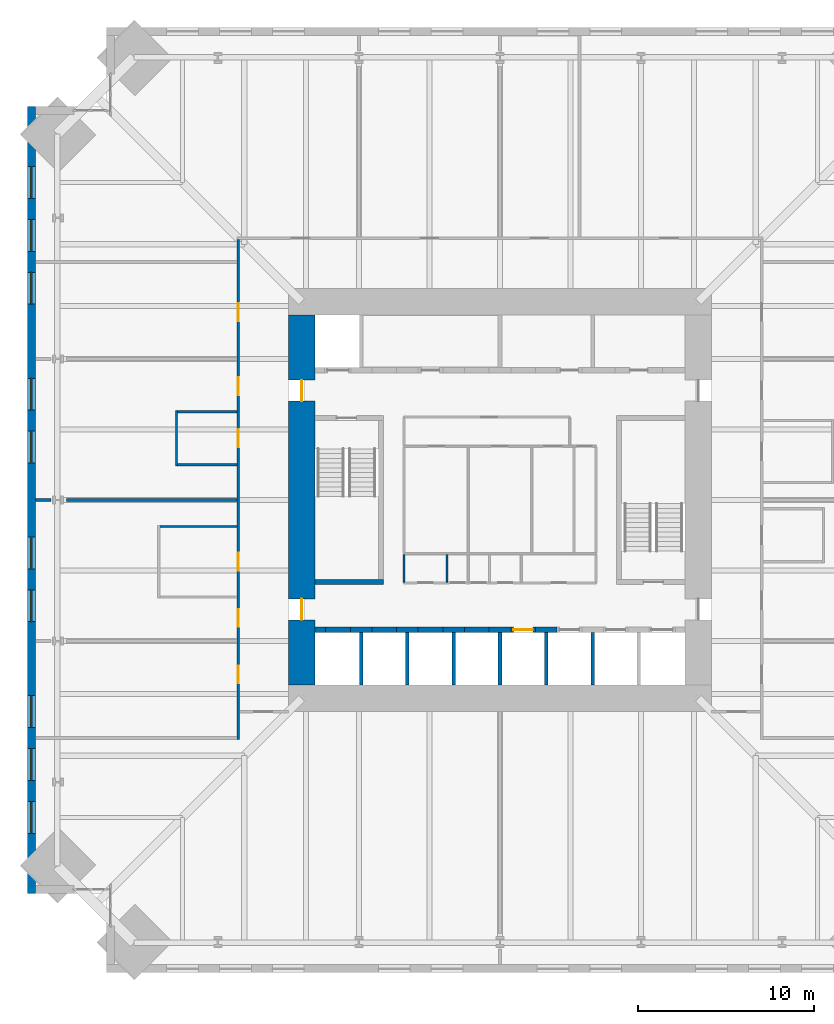
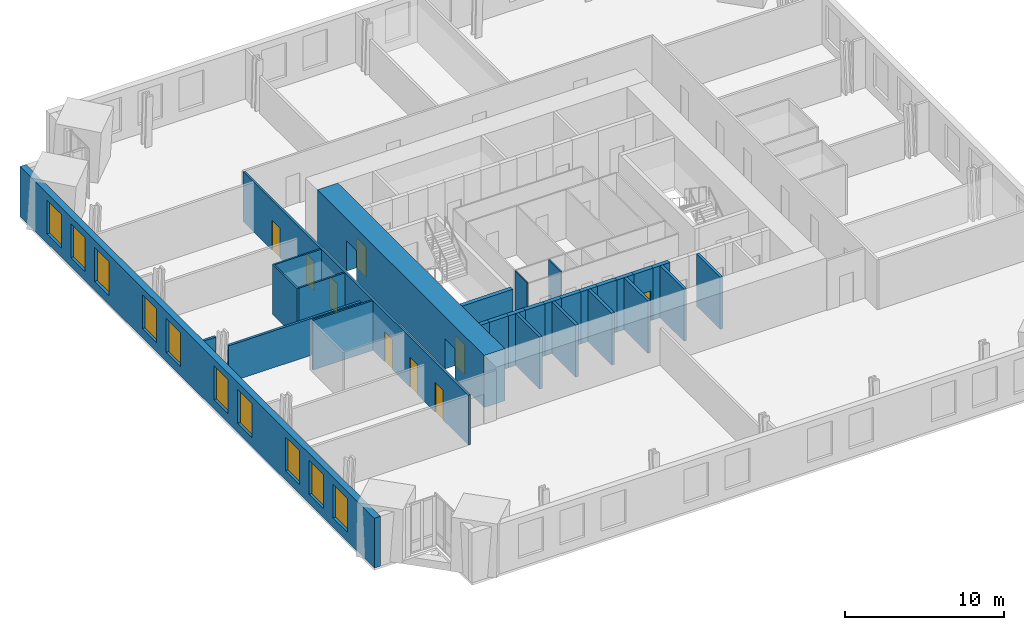
# One storey, part 12 of 17: 29 walls, 10 windows, 9 doors, 19 openings.
"""IFC4 building model written with IfcOpenShell, lengths in metres."""

from ifc_helpers import new_model, si_unit, direction, frame, frame_2d, origin, place, context, subcontext, project, spatial, rectangle, extrude, material, layer, layer_set, type_object, element, fill, save


model = new_model("IFC4")

# Units and contexts
model_context = context("Model", 3, precision=1e-05, world=origin(), true_north=direction((0.0, 1.0)))
body_context = subcontext(model_context, "Body", "Model", "MODEL_VIEW")
ifc_project = project(units=[si_unit("LENGTHUNIT", "METRE"), si_unit("AREAUNIT", "SQUARE_METRE"), si_unit("VOLUMEUNIT", "CUBIC_METRE"), si_unit("PLANEANGLEUNIT", "RADIAN"), si_unit("MASSUNIT", "GRAM", prefix="KILO")], contexts=[model_context])

# Site, building, storey
site_placement = place(None, origin())
site = spatial("IfcSite", under=ifc_project, at=site_placement, CompositionType="ELEMENT")
building_placement = place(site_placement, origin())
building = spatial("IfcBuilding", under=site, at=building_placement, Name="Peilmerk Tower", CompositionType="ELEMENT")
storey_placement = place(building_placement, frame((0.0, 0.0, 143.800048828125)))
storey = spatial("IfcBuildingStorey", under=building, at=storey_placement, Name="L29", CompositionType="ELEMENT", Elevation=143.800048828125)

# Wall, openings, windows
ifc_material_1 = material(Name="Precast concrete C45/55, board-marked finish", Category="concrete")
ifc_layer_1 = layer(ifc_material_1, 0.449951171875)
ifc_layer_set_1 = layer_set([ifc_layer_1], Name="Precast concrete C45/55, board-marked finish")
wall_type_1 = type_object("IfcWallType", Name="EW1 450 precast concrete facade wall, board-marked", PredefinedType="SOLIDWALL", material=ifc_layer_set_1)
wall_1_placement = place(storey_placement, frame((-26.574951171875, 22.300048828125, 0.0), z_axis=(0.0, 0.0, 1.0), x_axis=(0.0, -1.0, 0.0)))
wall_1 = element("IfcWall", 1, at=wall_1_placement, inside=storey, type_object=wall_type_1, Name="Facade wall W L29", PredefinedType="SOLIDWALL", context=body_context, shape_type="SweptSolid", body=[
    extrude(rectangle(XDim=44.60009765625, YDim=0.449951171875, at=frame_2d((22.300048828125, 0.0))), origin(), (0.0, 0.0, 1.0), 3.829833984375),
])
opening_1_placement = place(wall_1_placement, frame((3.39990234375, 0.0, 0.699951171875)))
opening_1 = element("IfcOpeningElement", 2, at=opening_1_placement, cuts=wall_1, Name="Opening W1", PredefinedType="OPENING", context=body_context, shape_type="SweptSolid", body=[
    extrude(rectangle(XDim=1.800048828125, YDim=2.60009765625, at=frame_2d((0.89990234375, 1.300048828125))), frame((0.0, 0.23486328125, 0.0), z_axis=(0.0, -1.0, 0.0), x_axis=(1.0, 0.0, 0.0)), (0.0, 0.0, 1.0), 0.469970703125),
])
opening_2_placement = place(wall_1_placement, frame((6.39990234375, 0.0, 0.699951171875)))
opening_2 = element("IfcOpeningElement", 3, at=opening_2_placement, cuts=wall_1, Name="Opening W1", PredefinedType="OPENING", context=body_context, shape_type="SweptSolid", body=[
    extrude(rectangle(XDim=1.800048828125, YDim=2.60009765625, at=frame_2d((0.89990234375, 1.300048828125))), frame((0.0, 0.23486328125, 0.0), z_axis=(0.0, -1.0, 0.0), x_axis=(1.0, 0.0, 0.0)), (0.0, 0.0, 1.0), 0.469970703125),
])
opening_3_placement = place(wall_1_placement, frame((9.39990234375, 0.0, 0.699951171875)))
opening_3 = element("IfcOpeningElement", 4, at=opening_3_placement, cuts=wall_1, Name="Opening W1", PredefinedType="OPENING", context=body_context, shape_type="SweptSolid", body=[
    extrude(rectangle(XDim=1.800048828125, YDim=2.60009765625, at=frame_2d((0.89990234375, 1.300048828125))), frame((0.0, 0.23486328125, 0.0), z_axis=(0.0, -1.0, 0.0), x_axis=(1.0, 0.0, 0.0)), (0.0, 0.0, 1.0), 0.469970703125),
])
opening_4_placement = place(wall_1_placement, frame((15.39990234375, 0.0, 0.699951171875)))
opening_4 = element("IfcOpeningElement", 5, at=opening_4_placement, cuts=wall_1, Name="Opening W1", PredefinedType="OPENING", context=body_context, shape_type="SweptSolid", body=[
    extrude(rectangle(XDim=1.800048828125, YDim=2.60009765625, at=frame_2d((0.89990234375, 1.300048828125))), frame((0.0, 0.23486328125, 0.0), z_axis=(0.0, -1.0, 0.0), x_axis=(1.0, 0.0, 0.0)), (0.0, 0.0, 1.0), 0.469970703125),
])
opening_5_placement = place(wall_1_placement, frame((18.39990234375, 0.0, 0.699951171875)))
opening_5 = element("IfcOpeningElement", 6, at=opening_5_placement, cuts=wall_1, Name="Opening W1", PredefinedType="OPENING", context=body_context, shape_type="SweptSolid", body=[
    extrude(rectangle(XDim=1.800048828125, YDim=2.60009765625, at=frame_2d((0.89990234375, 1.300048828125))), frame((0.0, 0.23486328125, 0.0), z_axis=(0.0, -1.0, 0.0), x_axis=(1.0, 0.0, 0.0)), (0.0, 0.0, 1.0), 0.469970703125),
])
opening_6_placement = place(wall_1_placement, frame((24.39990234375, 0.0, 0.699951171875)))
opening_6 = element("IfcOpeningElement", 7, at=opening_6_placement, cuts=wall_1, Name="Opening W1", PredefinedType="OPENING", context=body_context, shape_type="SweptSolid", body=[
    extrude(rectangle(XDim=1.800048828125, YDim=2.60009765625, at=frame_2d((0.89990234375, 1.300048828125))), frame((0.0, 0.23486328125, 0.0), z_axis=(0.0, -1.0, 0.0), x_axis=(1.0, 0.0, 0.0)), (0.0, 0.0, 1.0), 0.469970703125),
])
opening_7_placement = place(wall_1_placement, frame((27.39990234375, 0.0, 0.699951171875)))
opening_7 = element("IfcOpeningElement", 8, at=opening_7_placement, cuts=wall_1, Name="Opening W1", PredefinedType="OPENING", context=body_context, shape_type="SweptSolid", body=[
    extrude(rectangle(XDim=1.800048828125, YDim=2.60009765625, at=frame_2d((0.89990234375, 1.300048828125))), frame((0.0, 0.23486328125, 0.0), z_axis=(0.0, -1.0, 0.0), x_axis=(1.0, 0.0, 0.0)), (0.0, 0.0, 1.0), 0.469970703125),
])
opening_8_placement = place(wall_1_placement, frame((33.39990234375, 0.0, 0.699951171875)))
opening_8 = element("IfcOpeningElement", 9, at=opening_8_placement, cuts=wall_1, Name="Opening W1", PredefinedType="OPENING", context=body_context, shape_type="SweptSolid", body=[
    extrude(rectangle(XDim=1.800048828125, YDim=2.60009765625, at=frame_2d((0.89990234375, 1.300048828125))), frame((0.0, 0.23486328125, 0.0), z_axis=(0.0, -1.0, 0.0), x_axis=(1.0, 0.0, 0.0)), (0.0, 0.0, 1.0), 0.469970703125),
])
opening_9_placement = place(wall_1_placement, frame((36.39990234375, 0.0, 0.699951171875)))
opening_9 = element("IfcOpeningElement", 10, at=opening_9_placement, cuts=wall_1, Name="Opening W1", PredefinedType="OPENING", context=body_context, shape_type="SweptSolid", body=[
    extrude(rectangle(XDim=1.800048828125, YDim=2.60009765625, at=frame_2d((0.89990234375, 1.300048828125))), frame((0.0, 0.23486328125, 0.0), z_axis=(0.0, -1.0, 0.0), x_axis=(1.0, 0.0, 0.0)), (0.0, 0.0, 1.0), 0.469970703125),
])
opening_10_placement = place(wall_1_placement, frame((39.39990234375, 0.0, 0.699951171875)))
opening_10 = element("IfcOpeningElement", 11, at=opening_10_placement, cuts=wall_1, Name="Opening W1", PredefinedType="OPENING", context=body_context, shape_type="SweptSolid", body=[
    extrude(rectangle(XDim=1.800048828125, YDim=2.60009765625, at=frame_2d((0.89990234375, 1.300048828125))), frame((0.0, 0.23486328125, 0.0), z_axis=(0.0, -1.0, 0.0), x_axis=(1.0, 0.0, 0.0)), (0.0, 0.0, 1.0), 0.469970703125),
])
ifc_material_2 = material(Name="Aluminium frame, clear double glazing", Category="aluminium")
window_type = type_object("IfcWindowType", Name="W1 1800x2600 office window", PartitioningType="SINGLE_PANEL", PredefinedType="WINDOW", material=ifc_material_2)
window_1_placement = place(opening_1_placement, origin())
window_1 = element("IfcWindow", 12, at=window_1_placement, inside=storey, type_object=window_type, Name="Window W1 L29", OverallHeight=2.60009765625, OverallWidth=1.800048828125, PartitioningType="SINGLE_PANEL", PredefinedType="WINDOW", context=body_context, shape_type="SweptSolid", body=[
    extrude(rectangle(XDim=1.800048828125, YDim=2.60009765625, at=frame_2d((0.89990234375, 1.300048828125))), frame((0.0, 0.030029296875, 0.0), z_axis=(0.0, -1.0, 0.0), x_axis=(1.0, 0.0, 0.0)), (0.0, 0.0, 1.0), 0.06005859375),
])
fill(opening_1, window_1)
window_2_placement = place(opening_2_placement, origin())
window_2 = element("IfcWindow", 13, at=window_2_placement, inside=storey, type_object=window_type, Name="Window W1 L29", OverallHeight=2.60009765625, OverallWidth=1.800048828125, PartitioningType="SINGLE_PANEL", PredefinedType="WINDOW", context=body_context, shape_type="SweptSolid", body=[
    extrude(rectangle(XDim=1.800048828125, YDim=2.60009765625, at=frame_2d((0.89990234375, 1.300048828125))), frame((0.0, 0.030029296875, 0.0), z_axis=(0.0, -1.0, 0.0), x_axis=(1.0, 0.0, 0.0)), (0.0, 0.0, 1.0), 0.06005859375),
])
fill(opening_2, window_2)
window_3_placement = place(opening_3_placement, origin())
window_3 = element("IfcWindow", 14, at=window_3_placement, inside=storey, type_object=window_type, Name="Window W1 L29", OverallHeight=2.60009765625, OverallWidth=1.800048828125, PartitioningType="SINGLE_PANEL", PredefinedType="WINDOW", context=body_context, shape_type="SweptSolid", body=[
    extrude(rectangle(XDim=1.800048828125, YDim=2.60009765625, at=frame_2d((0.89990234375, 1.300048828125))), frame((0.0, 0.030029296875, 0.0), z_axis=(0.0, -1.0, 0.0), x_axis=(1.0, 0.0, 0.0)), (0.0, 0.0, 1.0), 0.06005859375),
])
fill(opening_3, window_3)
window_4_placement = place(opening_4_placement, origin())
window_4 = element("IfcWindow", 15, at=window_4_placement, inside=storey, type_object=window_type, Name="Window W1 L29", OverallHeight=2.60009765625, OverallWidth=1.800048828125, PartitioningType="SINGLE_PANEL", PredefinedType="WINDOW", context=body_context, shape_type="SweptSolid", body=[
    extrude(rectangle(XDim=1.800048828125, YDim=2.60009765625, at=frame_2d((0.89990234375, 1.300048828125))), frame((0.0, 0.030029296875, 0.0), z_axis=(0.0, -1.0, 0.0), x_axis=(1.0, 0.0, 0.0)), (0.0, 0.0, 1.0), 0.06005859375),
])
fill(opening_4, window_4)
window_5_placement = place(opening_5_placement, origin())
window_5 = element("IfcWindow", 16, at=window_5_placement, inside=storey, type_object=window_type, Name="Window W1 L29", OverallHeight=2.60009765625, OverallWidth=1.800048828125, PartitioningType="SINGLE_PANEL", PredefinedType="WINDOW", context=body_context, shape_type="SweptSolid", body=[
    extrude(rectangle(XDim=1.800048828125, YDim=2.60009765625, at=frame_2d((0.89990234375, 1.300048828125))), frame((0.0, 0.030029296875, 0.0), z_axis=(0.0, -1.0, 0.0), x_axis=(1.0, 0.0, 0.0)), (0.0, 0.0, 1.0), 0.06005859375),
])
fill(opening_5, window_5)
window_6_placement = place(opening_6_placement, origin())
window_6 = element("IfcWindow", 17, at=window_6_placement, inside=storey, type_object=window_type, Name="Window W1 L29", OverallHeight=2.60009765625, OverallWidth=1.800048828125, PartitioningType="SINGLE_PANEL", PredefinedType="WINDOW", context=body_context, shape_type="SweptSolid", body=[
    extrude(rectangle(XDim=1.800048828125, YDim=2.60009765625, at=frame_2d((0.89990234375, 1.300048828125))), frame((0.0, 0.030029296875, 0.0), z_axis=(0.0, -1.0, 0.0), x_axis=(1.0, 0.0, 0.0)), (0.0, 0.0, 1.0), 0.06005859375),
])
fill(opening_6, window_6)
window_7_placement = place(opening_7_placement, origin())
window_7 = element("IfcWindow", 18, at=window_7_placement, inside=storey, type_object=window_type, Name="Window W1 L29", OverallHeight=2.60009765625, OverallWidth=1.800048828125, PartitioningType="SINGLE_PANEL", PredefinedType="WINDOW", context=body_context, shape_type="SweptSolid", body=[
    extrude(rectangle(XDim=1.800048828125, YDim=2.60009765625, at=frame_2d((0.89990234375, 1.300048828125))), frame((0.0, 0.030029296875, 0.0), z_axis=(0.0, -1.0, 0.0), x_axis=(1.0, 0.0, 0.0)), (0.0, 0.0, 1.0), 0.06005859375),
])
fill(opening_7, window_7)
window_8_placement = place(opening_8_placement, origin())
window_8 = element("IfcWindow", 19, at=window_8_placement, inside=storey, type_object=window_type, Name="Window W1 L29", OverallHeight=2.60009765625, OverallWidth=1.800048828125, PartitioningType="SINGLE_PANEL", PredefinedType="WINDOW", context=body_context, shape_type="SweptSolid", body=[
    extrude(rectangle(XDim=1.800048828125, YDim=2.60009765625, at=frame_2d((0.89990234375, 1.300048828125))), frame((0.0, 0.030029296875, 0.0), z_axis=(0.0, -1.0, 0.0), x_axis=(1.0, 0.0, 0.0)), (0.0, 0.0, 1.0), 0.06005859375),
])
fill(opening_8, window_8)
window_9_placement = place(opening_9_placement, origin())
window_9 = element("IfcWindow", 20, at=window_9_placement, inside=storey, type_object=window_type, Name="Window W1 L29", OverallHeight=2.60009765625, OverallWidth=1.800048828125, PartitioningType="SINGLE_PANEL", PredefinedType="WINDOW", context=body_context, shape_type="SweptSolid", body=[
    extrude(rectangle(XDim=1.800048828125, YDim=2.60009765625, at=frame_2d((0.89990234375, 1.300048828125))), frame((0.0, 0.030029296875, 0.0), z_axis=(0.0, -1.0, 0.0), x_axis=(1.0, 0.0, 0.0)), (0.0, 0.0, 1.0), 0.06005859375),
])
fill(opening_9, window_9)
window_10_placement = place(opening_10_placement, origin())
window_10 = element("IfcWindow", 21, at=window_10_placement, inside=storey, type_object=window_type, Name="Window W1 L29", OverallHeight=2.60009765625, OverallWidth=1.800048828125, PartitioningType="SINGLE_PANEL", PredefinedType="WINDOW", context=body_context, shape_type="SweptSolid", body=[
    extrude(rectangle(XDim=1.800048828125, YDim=2.60009765625, at=frame_2d((0.89990234375, 1.300048828125))), frame((0.0, 0.030029296875, 0.0), z_axis=(0.0, -1.0, 0.0), x_axis=(1.0, 0.0, 0.0)), (0.0, 0.0, 1.0), 0.06005859375),
])
fill(opening_10, window_10)

# Wall, openings, doors
ifc_material_3 = material(Name="Calcium silicate block", Category="masonry")
ifc_layer_2 = layer(ifc_material_3, 0.14990234375)
ifc_layer_set_2 = layer_set([ifc_layer_2], Name="Calcium silicate block")
wall_type_2 = type_object("IfcWallType", Name="IW1 150 corridor partition, EI 60", PredefinedType="PARTITIONING", material=ifc_layer_set_2)
wall_2_placement = place(storey_placement, frame((-14.85009765625, 14.77490234375, 0.0), z_axis=(0.0, 0.0, 1.0), x_axis=(0.0, -1.0, 0.0)))
wall_2 = element("IfcWall", 22, at=wall_2_placement, inside=storey, type_object=wall_type_2, Name="Corridor wall W L29", PredefinedType="PARTITIONING", context=body_context, shape_type="SweptSolid", body=[
    extrude(rectangle(XDim=28.349853515625, YDim=0.14990234375, at=frame_2d((14.1748046875, 0.0))), origin(), (0.0, 0.0, 1.0), 3.829833984375),
])
opening_11_placement = place(wall_2_placement, frame((24.175048828125, 0.0, 0.0)))
opening_11 = element("IfcOpeningElement", 23, at=opening_11_placement, cuts=wall_2, Name="Opening D1", PredefinedType="OPENING", context=body_context, shape_type="SweptSolid", body=[
    extrude(rectangle(XDim=1.0, YDim=2.300048828125, at=frame_2d((0.5, 1.14990234375))), frame((0.0, 0.0849609375, 0.0), z_axis=(0.0, -1.0, 0.0), x_axis=(1.0, 0.0, 0.0)), (0.0, 0.0, 1.0), 0.169921875),
])
opening_12_placement = place(wall_2_placement, frame((20.97509765625, 0.0, 0.0)))
opening_12 = element("IfcOpeningElement", 24, at=opening_12_placement, cuts=wall_2, Name="Opening D1", PredefinedType="OPENING", context=body_context, shape_type="SweptSolid", body=[
    extrude(rectangle(XDim=1.0, YDim=2.300048828125, at=frame_2d((0.5, 1.14990234375))), frame((0.0, 0.0849609375, 0.0), z_axis=(0.0, -1.0, 0.0), x_axis=(1.0, 0.0, 0.0)), (0.0, 0.0, 1.0), 0.169921875),
])
opening_13_placement = place(wall_2_placement, frame((7.824951171875, 0.0, 0.0)))
opening_13 = element("IfcOpeningElement", 25, at=opening_13_placement, cuts=wall_2, Name="Opening D1", PredefinedType="OPENING", context=body_context, shape_type="SweptSolid", body=[
    extrude(rectangle(XDim=1.0, YDim=2.300048828125, at=frame_2d((0.5, 1.14990234375))), frame((0.0, 0.0849609375, 0.0), z_axis=(0.0, -1.0, 0.0), x_axis=(1.0, 0.0, 0.0)), (0.0, 0.0, 1.0), 0.169921875),
])
opening_14_placement = place(wall_2_placement, frame((3.625, 0.0, 0.0)))
opening_14 = element("IfcOpeningElement", 26, at=opening_14_placement, cuts=wall_2, Name="Opening D1", PredefinedType="OPENING", context=body_context, shape_type="SweptSolid", body=[
    extrude(rectangle(XDim=1.0, YDim=2.300048828125, at=frame_2d((0.5, 1.14990234375))), frame((0.0, 0.0849609375, 0.0), z_axis=(0.0, -1.0, 0.0), x_axis=(1.0, 0.0, 0.0)), (0.0, 0.0, 1.0), 0.169921875),
])
opening_15_placement = place(wall_2_placement, frame((10.77490234375, 0.0, 0.0)))
opening_15 = element("IfcOpeningElement", 27, at=opening_15_placement, cuts=wall_2, Name="Opening D1", PredefinedType="OPENING", context=body_context, shape_type="SweptSolid", body=[
    extrude(rectangle(XDim=1.0, YDim=2.300048828125, at=frame_2d((0.5, 1.14990234375))), frame((0.0, 0.0849609375, 0.0), z_axis=(0.0, -1.0, 0.0), x_axis=(1.0, 0.0, 0.0)), (0.0, 0.0, 1.0), 0.169921875),
])
opening_16_placement = place(wall_2_placement, frame((17.77490234375, 0.0, 0.0)))
opening_16 = element("IfcOpeningElement", 28, at=opening_16_placement, cuts=wall_2, Name="Opening D1", PredefinedType="OPENING", context=body_context, shape_type="SweptSolid", body=[
    extrude(rectangle(XDim=1.0, YDim=2.300048828125, at=frame_2d((0.5, 1.14990234375))), frame((0.0, 0.0849609375, 0.0), z_axis=(0.0, -1.0, 0.0), x_axis=(1.0, 0.0, 0.0)), (0.0, 0.0, 1.0), 0.169921875),
])
ifc_material_4 = material(Name="Timber door in steel frame", Category="steel")
door_type_1 = type_object("IfcDoorType", Name="D1 1000x2300 room door, EI2 30", OperationType="SINGLE_SWING_LEFT", PredefinedType="DOOR", material=ifc_material_4)
door_1_placement = place(opening_11_placement, frame((1.0, 0.0, 0.0), z_axis=(0.0, 0.0, 1.0), x_axis=(-1.0, 0.0, 0.0)))
door_1 = element("IfcDoor", 29, at=door_1_placement, inside=storey, type_object=door_type_1, Name="Door Team workspace L29", OperationType="SINGLE_SWING_LEFT", OverallHeight=2.300048828125, OverallWidth=1.0, PredefinedType="DOOR", context=body_context, shape_type="SweptSolid", body=[
    extrude(rectangle(XDim=1.0, YDim=2.300048828125, at=frame_2d((0.5, 1.14990234375))), frame((0.0, 0.02490234375, 0.0), z_axis=(0.0, -1.0, 0.0), x_axis=(1.0, 0.0, 0.0)), (0.0, 0.0, 1.0), 0.050048828125),
])
fill(opening_11, door_1)
door_2_placement = place(opening_12_placement, frame((1.0, 0.0, 0.0), z_axis=(0.0, 0.0, 1.0), x_axis=(-1.0, 0.0, 0.0)))
door_2 = element("IfcDoor", 30, at=door_2_placement, inside=storey, type_object=door_type_1, Name="Door Team workspace L29", OperationType="SINGLE_SWING_LEFT", OverallHeight=2.300048828125, OverallWidth=1.0, PredefinedType="DOOR", context=body_context, shape_type="SweptSolid", body=[
    extrude(rectangle(XDim=1.0, YDim=2.300048828125, at=frame_2d((0.5, 1.14990234375))), frame((0.0, 0.02490234375, 0.0), z_axis=(0.0, -1.0, 0.0), x_axis=(1.0, 0.0, 0.0)), (0.0, 0.0, 1.0), 0.050048828125),
])
fill(opening_12, door_2)
door_3_placement = place(opening_13_placement, frame((1.0, 0.0, 0.0), z_axis=(0.0, 0.0, 1.0), x_axis=(-1.0, 0.0, 0.0)))
door_3 = element("IfcDoor", 31, at=door_3_placement, inside=storey, type_object=door_type_1, Name="Door Team workspace L29", OperationType="SINGLE_SWING_LEFT", OverallHeight=2.300048828125, OverallWidth=1.0, PredefinedType="DOOR", context=body_context, shape_type="SweptSolid", body=[
    extrude(rectangle(XDim=1.0, YDim=2.300048828125, at=frame_2d((0.5, 1.14990234375))), frame((0.0, 0.02490234375, 0.0), z_axis=(0.0, -1.0, 0.0), x_axis=(1.0, 0.0, 0.0)), (0.0, 0.0, 1.0), 0.050048828125),
])
fill(opening_13, door_3)
door_4_placement = place(opening_14_placement, frame((1.0, 0.0, 0.0), z_axis=(0.0, 0.0, 1.0), x_axis=(-1.0, 0.0, 0.0)))
door_4 = element("IfcDoor", 32, at=door_4_placement, inside=storey, type_object=door_type_1, Name="Door Team workspace L29", OperationType="SINGLE_SWING_LEFT", OverallHeight=2.300048828125, OverallWidth=1.0, PredefinedType="DOOR", context=body_context, shape_type="SweptSolid", body=[
    extrude(rectangle(XDim=1.0, YDim=2.300048828125, at=frame_2d((0.5, 1.14990234375))), frame((0.0, 0.02490234375, 0.0), z_axis=(0.0, -1.0, 0.0), x_axis=(1.0, 0.0, 0.0)), (0.0, 0.0, 1.0), 0.050048828125),
])
fill(opening_14, door_4)
door_5_placement = place(opening_15_placement, frame((1.0, 0.0, 0.0), z_axis=(0.0, 0.0, 1.0), x_axis=(-1.0, 0.0, 0.0)))
door_5 = element("IfcDoor", 33, at=door_5_placement, inside=storey, type_object=door_type_1, Name="Door Focus room L29", OperationType="SINGLE_SWING_LEFT", OverallHeight=2.300048828125, OverallWidth=1.0, PredefinedType="DOOR", context=body_context, shape_type="SweptSolid", body=[
    extrude(rectangle(XDim=1.0, YDim=2.300048828125, at=frame_2d((0.5, 1.14990234375))), frame((0.0, 0.02490234375, 0.0), z_axis=(0.0, -1.0, 0.0), x_axis=(1.0, 0.0, 0.0)), (0.0, 0.0, 1.0), 0.050048828125),
])
fill(opening_15, door_5)
door_6_placement = place(opening_16_placement, frame((1.0, 0.0, 0.0), z_axis=(0.0, 0.0, 1.0), x_axis=(-1.0, 0.0, 0.0)))
door_6 = element("IfcDoor", 34, at=door_6_placement, inside=storey, type_object=door_type_1, Name="Door Meeting room L29", OperationType="SINGLE_SWING_LEFT", OverallHeight=2.300048828125, OverallWidth=1.0, PredefinedType="DOOR", context=body_context, shape_type="SweptSolid", body=[
    extrude(rectangle(XDim=1.0, YDim=2.300048828125, at=frame_2d((0.5, 1.14990234375))), frame((0.0, 0.02490234375, 0.0), z_axis=(0.0, -1.0, 0.0), x_axis=(1.0, 0.0, 0.0)), (0.0, 0.0, 1.0), 0.050048828125),
])
fill(opening_16, door_6)

# Walls
ifc_material_5 = material(Name="Concrete C35/45", Category="concrete")
ifc_layer_3 = layer(ifc_material_5, 0.300048828125)
ifc_layer_set_3 = layer_set([ifc_layer_3], Name="Concrete C35/45")
wall_type_3 = type_object("IfcWallType", Name="IW3 300 concrete stair enclosure wall, EI 120", PredefinedType="SOLIDWALL", material=ifc_layer_set_3)
wall_3_placement = place(storey_placement, frame((-6.60009765625, -4.64990234375, 0.0), z_axis=(0.0, 0.0, 1.0), x_axis=(-1.0, 0.0, 0.0)))
element("IfcWall", 35, at=wall_3_placement, inside=storey, type_object=wall_type_3, Name="Stair 1 enclosure L29", PredefinedType="SOLIDWALL", context=body_context, shape_type="SweptSolid", body=[
    extrude(rectangle(XDim=3.89990234375, YDim=0.300048828125, at=frame_2d((1.949951171875, 0.0))), origin(), (0.0, 0.0, 1.0), 3.75),
])
ifc_material_6 = material(Name="Calcium silicate board on steel studs", Category="steel")
ifc_layer_4 = layer(ifc_material_6, 0.10009765625)
ifc_layer_set_4 = layer_set([ifc_layer_4], Name="Calcium silicate board on steel studs")
wall_type_4 = type_object("IfcWallType", Name="IW5 100 riser enclosure wall, EI 60", PredefinedType="PARTITIONING", material=ifc_layer_set_4)
for number, where, z_axis, x_axis, name in (
    (36, (-5.449951171875, -3.10009765625, 0.0), (0.0, 0.0, 1.0), (0.0, -1.0, 0.0), "Riser wall L29"),
    (37, (-3.0, -3.10009765625, 0.0), (0.0, 0.0, 1.0), (0.0, -1.0, 0.0), "Riser wall L29"),
):
    element("IfcWall", number, at=place(storey_placement, frame(where, z_axis=z_axis, x_axis=x_axis)), inside=storey, type_object=wall_type_4, Name=name, PredefinedType="PARTITIONING", context=body_context, shape_type="SweptSolid", body=[
        extrude(rectangle(XDim=1.5498046875, YDim=0.10009765625, at=frame_2d((0.77490234375, 0.0))), origin(), (0.0, 0.0, 1.0), 3.75),
    ])
ifc_material_7 = material(Name="Plasterboard on steel studs, double boarded with mineral wool", Category="steel")
ifc_layer_5 = layer(ifc_material_7, 0.125)
ifc_layer_set_5 = layer_set([ifc_layer_5], Name="Plasterboard on steel studs, double boarded with mineral wool")
wall_type_5 = type_object("IfcWallType", Name="IW7 125 acoustic partition, EI 30", PredefinedType="PARTITIONING", material=ifc_layer_set_5)
wall_4_placement = place(storey_placement, frame((-18.35009765625, 1.9375, 0.0), z_axis=(0.0, 0.0, 1.0), x_axis=(0.0, 1.0, 0.0)))
element("IfcWall", 38, at=wall_4_placement, inside=storey, type_object=wall_type_5, Name="Acoustic partition Focus room L29", PredefinedType="PARTITIONING", context=body_context, shape_type="SweptSolid", body=[
    extrude(rectangle(XDim=3.125, YDim=0.125, at=frame_2d((1.5625, 0.0))), origin(), (0.0, 0.0, 1.0), 3.829833984375),
])
for number, where, z_axis, x_axis, name in (
    (39, (-14.925048828125, 2.0, 0.0), (0.0, 0.0, 1.0), (-1.0, 0.0, 0.0), "Acoustic partition Focus room L29"),
    (40, (-14.925048828125, 5.0, 0.0), (0.0, 0.0, 1.0), (-1.0, 0.0, 0.0), "Acoustic partition Focus room L29"),
):
    element("IfcWall", number, at=place(storey_placement, frame(where, z_axis=z_axis, x_axis=x_axis)), inside=storey, type_object=wall_type_5, Name=name, PredefinedType="PARTITIONING", context=body_context, shape_type="SweptSolid", body=[
        extrude(rectangle(XDim=3.362548828125, YDim=0.125, at=frame_2d((1.68115234375, 0.0))), origin(), (0.0, 0.0, 1.0), 3.829833984375),
    ])
wall_5_placement = place(storey_placement, frame((-14.925048828125, -1.5, 0.0), z_axis=(0.0, 0.0, 1.0), x_axis=(-1.0, 0.0, 0.0)))
element("IfcWall", 41, at=wall_5_placement, inside=storey, type_object=wall_type_5, Name="Acoustic partition Meeting room L29", PredefinedType="PARTITIONING", context=body_context, shape_type="SweptSolid", body=[
    extrude(rectangle(XDim=4.362548828125, YDim=0.125, at=frame_2d((2.18115234375, 0.0))), origin(), (0.0, 0.0, 1.0), 3.829833984375),
])
ifc_layer_6 = layer(ifc_material_3, 0.175048828125)
ifc_layer_set_6 = layer_set([ifc_layer_6], Name="Calcium silicate block")
wall_type_6 = type_object("IfcWallType", Name="IW8 175 tenant separating wall, EI 60", PredefinedType="PARTITIONING", material=ifc_layer_set_6)
wall_6_placement = place(storey_placement, frame((-14.925048828125, 0.0, 0.0), z_axis=(0.0, 0.0, 1.0), x_axis=(-1.0, 0.0, 0.0)))
element("IfcWall", 42, at=wall_6_placement, inside=storey, type_object=wall_type_6, Name="Tenant separating wall W2 L29", PredefinedType="PARTITIONING", context=body_context, shape_type="SweptSolid", body=[
    extrude(rectangle(XDim=9.648193359375, YDim=0.175048828125, at=frame_2d((4.82421875, 0.0))), origin(), (0.0, 0.0, 1.0), 2.829833984375),
])
wall_7_placement = place(storey_placement, frame((-25.46240234375, 0.0, 0.0), z_axis=(0.0, 0.0, 1.0), x_axis=(-1.0, 0.0, 0.0)))
element("IfcWall", 43, at=wall_7_placement, inside=storey, type_object=wall_type_6, Name="Tenant separating wall W2b L29", PredefinedType="PARTITIONING", context=body_context, shape_type="SweptSolid", body=[
    extrude(rectangle(XDim=0.8876953125, YDim=0.175048828125, at=frame_2d((0.44384765625, 0.0))), origin(), (0.0, 0.0, 1.0), 3.829833984375),
])
ifc_layer_7 = layer(ifc_material_3, 0.199951171875)
ifc_layer_set_7 = layer_set([ifc_layer_7], Name="Calcium silicate block")
wall_type_7 = type_object("IfcWallType", Name="SH1 200 shaft dividing wall, EI 120", PredefinedType="PARTITIONING", material=ifc_layer_set_7)
for number, where, z_axis, x_axis, name in (
    (44, (-7.875, -10.5, 0.0), (0.0, 0.0, 1.0), (0.0, 1.0, 0.0), "Shaft wall S C4 L29"),
    (45, (-5.25, -10.5, 0.0), (0.0, 0.0, 1.0), (0.0, 1.0, 0.0), "Shaft wall S C3 L29"),
    (46, (-2.625, -10.5, 0.0), (0.0, 0.0, 1.0), (0.0, 1.0, 0.0), "Shaft wall S C2 L29"),
    (47, (0.0, -10.5, 0.0), (0.0, 0.0, 1.0), (0.0, 1.0, 0.0), "Shaft wall S C1 L29"),
    (48, (2.625, -10.5, 0.0), (0.0, 0.0, 1.0), (0.0, 1.0, 0.0), "Shaft wall S B3 L29"),
    (49, (5.25, -10.5, 0.0), (0.0, 0.0, 1.0), (0.0, 1.0, 0.0), "Shaft wall S B2 L29"),
):
    element("IfcWall", number, at=place(storey_placement, frame(where, z_axis=z_axis, x_axis=x_axis)), inside=storey, type_object=wall_type_7, Name=name, PredefinedType="PARTITIONING", context=body_context, shape_type="SweptSolid", body=[
        extrude(rectangle(XDim=3.0, YDim=0.199951171875, at=frame_2d((1.5, 0.0))), origin(), (0.0, 0.0, 1.0), 4.0),
    ])
ifc_layer_8 = layer(ifc_material_3, 0.300048828125)
ifc_layer_set_8 = layer_set([ifc_layer_8], Name="Calcium silicate block")
wall_type_8 = type_object("IfcWallType", Name="SH2 300 lift landing door panel, EI 120", PredefinedType="PARTITIONING", material=ifc_layer_set_8)
for number, where, z_axis, x_axis, name in (
    (50, (-9.887451171875, -7.35009765625, 0.0), (0.0, 0.0, 1.0), (1.0, 0.0, 0.0), "Lift door panel S C4 L29"),
    (51, (-7.262451171875, -7.35009765625, 0.0), (0.0, 0.0, 1.0), (1.0, 0.0, 0.0), "Lift door panel S C3 L29"),
    (52, (-4.637451171875, -7.35009765625, 0.0), (0.0, 0.0, 1.0), (1.0, 0.0, 0.0), "Lift door panel S C2 L29"),
    (53, (-2.012451171875, -7.35009765625, 0.0), (0.0, 0.0, 1.0), (1.0, 0.0, 0.0), "Lift door panel S C1 L29"),
):
    element("IfcWall", number, at=place(storey_placement, frame(where, z_axis=z_axis, x_axis=x_axis)), inside=storey, type_object=wall_type_8, Name=name, PredefinedType="PARTITIONING", context=body_context, shape_type="SweptSolid", body=[
        extrude(rectangle(XDim=1.39990234375, YDim=0.300048828125, at=frame_2d((0.699951171875, 0.0))), origin(), (0.0, 0.0, 1.0), 4.0),
    ])

# Wall, opening, door
wall_8_placement = place(storey_placement, frame((0.612548828125, -7.35009765625, 0.0), z_axis=(0.0, 0.0, 1.0), x_axis=(1.0, 0.0, 0.0)))
wall_8 = element("IfcWall", 54, at=wall_8_placement, inside=storey, type_object=wall_type_8, Name="Lift door panel S B3 L29", PredefinedType="PARTITIONING", context=body_context, shape_type="SweptSolid", body=[
    extrude(rectangle(XDim=1.39990234375, YDim=0.300048828125, at=frame_2d((0.699951171875, 0.0))), origin(), (0.0, 0.0, 1.0), 4.0),
])
opening_17_placement = place(wall_8_placement, frame((0.14990234375, 0.0, 0.0)))
opening_17 = element("IfcOpeningElement", 55, at=opening_17_placement, cuts=wall_8, Name="Opening LD1", PredefinedType="OPENING", context=body_context, shape_type="SweptSolid", body=[
    extrude(rectangle(XDim=1.10009765625, YDim=2.300048828125, at=frame_2d((0.550048828125, 1.14990234375))), frame((0.0, 0.159912109375, 0.0), z_axis=(0.0, -1.0, 0.0), x_axis=(1.0, 0.0, 0.0)), (0.0, 0.0, 1.0), 0.320068359375),
])
ifc_material_8 = material(Name="Stainless steel landing door", Category="steel")
door_type_2 = type_object("IfcDoorType", Name="LD1 1100x2300 lift landing door, sliding, EI2 60", OperationType="SLIDING_TO_LEFT", PredefinedType="DOOR", material=ifc_material_8)
door_7_placement = place(opening_17_placement, origin())
door_7 = element("IfcDoor", 56, at=door_7_placement, inside=storey, type_object=door_type_2, Name="Lift landing door B3 L29", OperationType="SLIDING_TO_LEFT", OverallHeight=2.300048828125, OverallWidth=1.10009765625, PredefinedType="DOOR", context=body_context, shape_type="SweptSolid", body=[
    extrude(rectangle(XDim=1.10009765625, YDim=2.300048828125, at=frame_2d((0.550048828125, 1.14990234375))), frame((0.0, 0.02490234375, 0.0), z_axis=(0.0, -1.0, 0.0), x_axis=(1.0, 0.0, 0.0)), (0.0, 0.0, 1.0), 0.050048828125),
])
fill(opening_17, door_7)

# Wall, openings, doors
ifc_material_9 = material(Name="Concrete C55/67", Category="concrete")
ifc_layer_9 = layer(ifc_material_9, 1.5)
ifc_layer_set_9 = layer_set([ifc_layer_9], Name="Concrete C55/67")
wall_type_9 = type_object("IfcWallType", Name="SW1 1500 core wall", PredefinedType="SHEAR", material=ifc_layer_set_9)
wall_9_placement = place(storey_placement, frame((-11.25, -10.5, 0.0), z_axis=(0.0, 0.0, 1.0), x_axis=(0.0, 1.0, 0.0)))
wall_9 = element("IfcWall", 57, at=wall_9_placement, inside=storey, type_object=wall_type_9, Name="Core wall W L29", PredefinedType="SHEAR", context=body_context, shape_type="SweptSolid", body=[
    extrude(rectangle(XDim=21.0, YDim=1.5, at=frame_2d((10.5, 0.0))), origin(), (0.0, 0.0, 1.0), 4.0),
])
opening_18_placement = place(wall_9_placement, frame((16.10009765625, 0.0, 0.0)))
opening_18 = element("IfcOpeningElement", 58, at=opening_18_placement, cuts=wall_9, Name="Opening D3", PredefinedType="OPENING", context=body_context, shape_type="SweptSolid", body=[
    extrude(rectangle(XDim=1.199951171875, YDim=2.300048828125, at=frame_2d((0.60009765625, 1.14990234375))), frame((0.0, 0.760009765625, 0.0), z_axis=(0.0, -1.0, 0.0), x_axis=(1.0, 0.0, 0.0)), (0.0, 0.0, 1.0), 1.52001953125),
])
opening_19_placement = place(wall_9_placement, frame((3.699951171875, 0.0, 0.0)))
opening_19 = element("IfcOpeningElement", 59, at=opening_19_placement, cuts=wall_9, Name="Opening D3", PredefinedType="OPENING", context=body_context, shape_type="SweptSolid", body=[
    extrude(rectangle(XDim=1.199951171875, YDim=2.300048828125, at=frame_2d((0.60009765625, 1.14990234375))), frame((0.0, 0.760009765625, 0.0), z_axis=(0.0, -1.0, 0.0), x_axis=(1.0, 0.0, 0.0)), (0.0, 0.0, 1.0), 1.52001953125),
])
ifc_material_10 = material(Name="Steel door in steel frame", Category="steel")
door_type_3 = type_object("IfcDoorType", Name="D3 1200x2300 core door, EI2 60", OperationType="SINGLE_SWING_LEFT", PredefinedType="DOOR", material=ifc_material_10)
door_8_placement = place(opening_18_placement, frame((1.199951171875, 0.0, 0.0), z_axis=(0.0, 0.0, 1.0), x_axis=(-1.0, 0.0, 0.0)))
door_8 = element("IfcDoor", 60, at=door_8_placement, inside=storey, type_object=door_type_3, Name="Core door L29", OperationType="SINGLE_SWING_LEFT", OverallHeight=2.300048828125, OverallWidth=1.199951171875, PredefinedType="DOOR", context=body_context, shape_type="SweptSolid", body=[
    extrude(rectangle(XDim=1.199951171875, YDim=2.300048828125, at=frame_2d((0.60009765625, 1.14990234375))), frame((0.0, 0.02490234375, 0.0), z_axis=(0.0, -1.0, 0.0), x_axis=(1.0, 0.0, 0.0)), (0.0, 0.0, 1.0), 0.050048828125),
])
fill(opening_18, door_8)
door_9_placement = place(opening_19_placement, frame((1.199951171875, 0.0, 0.0), z_axis=(0.0, 0.0, 1.0), x_axis=(-1.0, 0.0, 0.0)))
door_9 = element("IfcDoor", 61, at=door_9_placement, inside=storey, type_object=door_type_3, Name="Core door L29", OperationType="SINGLE_SWING_LEFT", OverallHeight=2.300048828125, OverallWidth=1.199951171875, PredefinedType="DOOR", context=body_context, shape_type="SweptSolid", body=[
    extrude(rectangle(XDim=1.199951171875, YDim=2.300048828125, at=frame_2d((0.60009765625, 1.14990234375))), frame((0.0, 0.02490234375, 0.0), z_axis=(0.0, -1.0, 0.0), x_axis=(1.0, 0.0, 0.0)), (0.0, 0.0, 1.0), 0.050048828125),
])
fill(opening_19, door_9)

# Walls
ifc_layer_10 = layer(ifc_material_9, 0.300048828125)
ifc_layer_set_10 = layer_set([ifc_layer_10], Name="Concrete C55/67")
wall_type_10 = type_object("IfcWallType", Name="SW2 300 lift bank pier", PredefinedType="SHEAR", material=ifc_layer_set_10)
wall_10_placement = place(storey_placement, frame((-10.5, -7.35009765625, 0.0), z_axis=(0.0, 0.0, 1.0), x_axis=(1.0, 0.0, 0.0)))
element("IfcWall", 62, at=wall_10_placement, inside=storey, type_object=wall_type_10, Name="Lift bank pier S L29", PredefinedType="SHEAR", context=body_context, shape_type="SweptSolid", body=[
    extrude(rectangle(XDim=0.612548828125, YDim=0.300048828125, at=frame_2d((0.30615234375, 0.0))), origin(), (0.0, 0.0, 1.0), 4.0),
])
for number, where, z_axis, x_axis, name in (
    (63, (-8.487548828125, -7.35009765625, 0.0), (0.0, 0.0, 1.0), (1.0, 0.0, 0.0), "Lift bank pier S L29"),
    (64, (-5.862548828125, -7.35009765625, 0.0), (0.0, 0.0, 1.0), (1.0, 0.0, 0.0), "Lift bank pier S L29"),
    (65, (-3.237548828125, -7.35009765625, 0.0), (0.0, 0.0, 1.0), (1.0, 0.0, 0.0), "Lift bank pier S L29"),
    (66, (-0.612548828125, -7.35009765625, 0.0), (0.0, 0.0, 1.0), (1.0, 0.0, 0.0), "Lift bank pier S L29"),
    (67, (2.012451171875, -7.35009765625, 0.0), (0.0, 0.0, 1.0), (1.0, 0.0, 0.0), "Lift bank pier S L29"),
):
    element("IfcWall", number, at=place(storey_placement, frame(where, z_axis=z_axis, x_axis=x_axis)), inside=storey, type_object=wall_type_10, Name=name, PredefinedType="SHEAR", context=body_context, shape_type="SweptSolid", body=[
        extrude(rectangle(XDim=1.22509765625, YDim=0.300048828125, at=frame_2d((0.612548828125, 0.0))), origin(), (0.0, 0.0, 1.0), 4.0),
    ])

save(model, "model.ifc")
